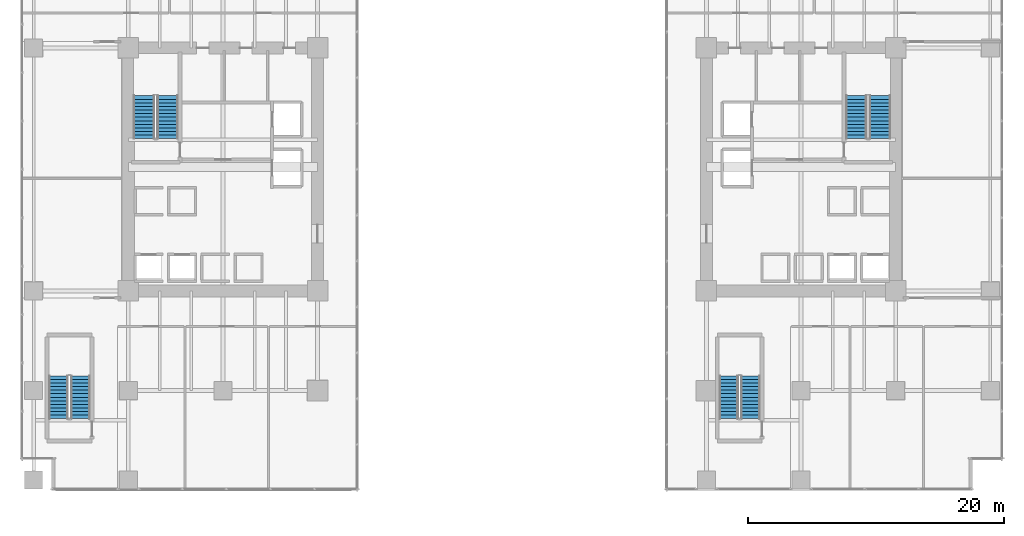
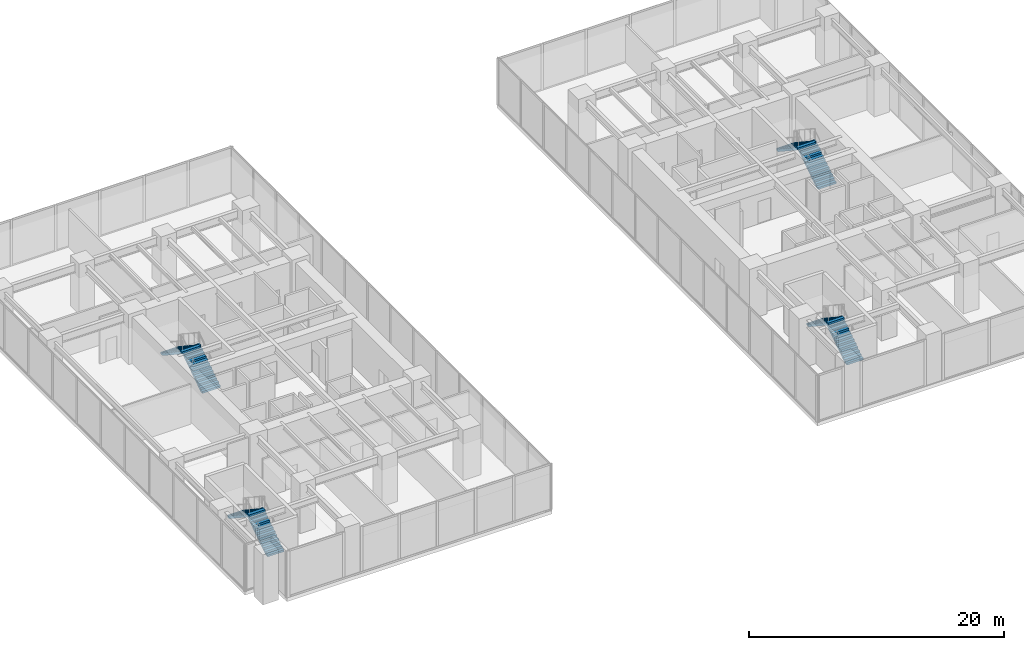
# One storey, part 28 of 33: 8 stair flights, 4 elements without a shape of their own.
"""IFC4 building model written with IfcOpenShell, lengths in metres."""

import ifcopenshell
import ifcopenshell.guid

model = None  # the IFC model being written
_history = None  # IfcOwnerHistory: only IFC2X3 demands one
_inside = {}  # id of a spatial element -> (the spatial element, [elements in it])
_under = {}  # id of a project, library or spatial element -> (it, [spatial elements below it])
_declared = {}  # id of a project -> (the project, [libraries it declares])
_typed = {}  # id of a type object -> (the type object, [elements of that type])
_made_of = {}  # id of a material, layer set ... -> (it, [elements and type objects made of it])


def new_model(schema):
    """Start an empty IFC model of exactly this schema.

    Asked for "IFC4X3", IfcOpenShell would pick the latest addendum, in which some entities
    have other attributes; the version numbers below select the first issue.
    IFC2X3 requires an IfcOwnerHistory on every rooted entity: one is made here for all.
    """
    global model, _history
    if schema == "IFC4X3":
        model = ifcopenshell.file(schema_version=(4, 3, 0, 0))
    else:
        model = ifcopenshell.file(schema=schema)
    _inside.clear()
    _under.clear()
    _declared.clear()
    _typed.clear()
    _made_of.clear()
    _history = None
    if model.schema == "IFC2X3":
        org = make("IfcOrganization", Name="unknown")
        user = make(
            "IfcPersonAndOrganization",
            ThePerson=make("IfcPerson", FamilyName="unknown"),
            TheOrganization=org,
        )
        app = make(
            "IfcApplication",
            ApplicationDeveloper=org,
            Version="unknown",
            ApplicationFullName="unknown",
            ApplicationIdentifier="unknown",
        )
        _history = make(
            "IfcOwnerHistory",
            OwningUser=user,
            OwningApplication=app,
            ChangeAction="ADDED",
            CreationDate=0,
        )
    return model


def make(cls, **values):
    """One entity of the class cls with the attributes given. An attribute that is None is left unset."""
    return model.create_entity(
        cls, **{name: value for name, value in values.items() if value is not None}
    )


def rooted(cls, **values):
    """An entity with a GlobalId (a new one), such as an element, a storey or a relation."""
    return make(cls, GlobalId=ifcopenshell.guid.new(), OwnerHistory=_history, **values)


def si_unit(unit_type, name, prefix=None):
    """IfcSIUnit, for example si_unit("LENGTHUNIT", "METRE", prefix="MILLI")."""
    return make("IfcSIUnit", UnitType=unit_type, Prefix=prefix, Name=name)


def assignment(units):
    """IfcUnitAssignment: the units of a project."""
    return None if units is None else make("IfcUnitAssignment", Units=units)


def point(xyz):
    """IfcCartesianPoint."""
    return None if xyz is None else make("IfcCartesianPoint", Coordinates=xyz)


def direction(xyz):
    """IfcDirection."""
    return None if xyz is None else make("IfcDirection", DirectionRatios=xyz)


def frame(location, z_axis=None, x_axis=None):
    """IfcAxis2Placement3D, a coordinate frame: its origin and axes. An axis left out is left unset."""
    return make(
        "IfcAxis2Placement3D",
        Location=point(location),
        Axis=direction(z_axis),
        RefDirection=direction(x_axis),
    )


def origin():
    """The frame at (0, 0, 0) with its axes left unset."""
    return frame((0.0, 0.0, 0.0))


def place(relative_to, where):
    """IfcLocalPlacement: puts the frame where relative to a parent placement (None: the world)."""
    return make(
        "IfcLocalPlacement", PlacementRelTo=relative_to, RelativePlacement=where
    )


def context(
    kind, dimensions, precision=None, world=None, true_north=None, identifier=None
):
    """IfcGeometricRepresentationContext, for example the 3D "Model" context."""
    return make(
        "IfcGeometricRepresentationContext",
        ContextIdentifier=identifier,
        ContextType=kind,
        CoordinateSpaceDimension=dimensions,
        Precision=precision,
        WorldCoordinateSystem=world,
        TrueNorth=true_north,
    )


def subcontext(parent, identifier, kind, view, scale=None):
    """IfcGeometricRepresentationSubContext, for example "Body" below "Model"."""
    return make(
        "IfcGeometricRepresentationSubContext",
        ContextIdentifier=identifier,
        ContextType=kind,
        ParentContext=parent,
        TargetScale=scale,
        TargetView=view,
    )


def project(units=None, contexts=None):
    """IfcProject with its units and contexts."""
    return rooted(
        "IfcProject",
        Name="project",
        RepresentationContexts=contexts,
        UnitsInContext=assignment(units),
    )


def spatial(cls, under=None, at=None, **own):
    """A site, building, storey or space (cls), placed at a placement, below another one or the project."""
    s = rooted(cls, ObjectPlacement=at, **own)
    if under is not None:
        _under.setdefault(under.id(), (under, []))[1].append(s)
    return s


def polyline(points):
    """IfcPolyline through the points."""
    return make("IfcPolyline", Points=[point(p) for p in points])


def outline(outer, holes=None, kind="AREA"):
    """IfcArbitraryClosedProfileDef: a profile drawn as a closed curve; with holes, ...WithVoids."""
    if holes is None:
        return make("IfcArbitraryClosedProfileDef", ProfileType=kind, OuterCurve=outer)
    return make(
        "IfcArbitraryProfileDefWithVoids",
        ProfileType=kind,
        OuterCurve=outer,
        InnerCurves=holes,
    )


def extrude(swept, where, along, depth):
    """IfcExtrudedAreaSolid: the profile swept, set in the frame where, extruded along a direction by depth."""
    return make(
        "IfcExtrudedAreaSolid",
        SweptArea=swept,
        Position=where,
        ExtrudedDirection=direction(along),
        Depth=depth,
    )


def shape(context_of_items, identifier, shape_type, items):
    """IfcShapeRepresentation: the items that make up one representation, for example the "Body"."""
    return make(
        "IfcShapeRepresentation",
        ContextOfItems=context_of_items,
        RepresentationIdentifier=identifier,
        RepresentationType=shape_type,
        Items=items,
    )


def source(mapping_origin, context_of_items, identifier, shape_type, items):
    """IfcRepresentationMap: a shape defined once, which mapped items show again and again."""
    return make(
        "IfcRepresentationMap",
        MappingOrigin=mapping_origin,
        MappedRepresentation=shape(context_of_items, identifier, shape_type, items),
    )


def transform(
    local_origin,
    x_axis=None,
    y_axis=None,
    z_axis=None,
    scale=None,
    scale2=None,
    scale3=None,
    uniform=True,
):
    """IfcCartesianTransformationOperator3D, or its non-uniform kind. x_axis, y_axis, z_axis: its Axis1, 2, 3."""
    if uniform:
        return make(
            "IfcCartesianTransformationOperator3D",
            Axis1=direction(x_axis),
            Axis2=direction(y_axis),
            LocalOrigin=point(local_origin),
            Scale=scale,
            Axis3=direction(z_axis),
        )
    return make(
        "IfcCartesianTransformationOperator3DnonUniform",
        Axis1=direction(x_axis),
        Axis2=direction(y_axis),
        LocalOrigin=point(local_origin),
        Scale=scale,
        Axis3=direction(z_axis),
        Scale2=scale2,
        Scale3=scale3,
    )


def mapped(mapping_source, mapping_target):
    """IfcMappedItem: shows the shape of a source again, moved by a transform."""
    return make(
        "IfcMappedItem", MappingSource=mapping_source, MappingTarget=mapping_target
    )


def material(Name=None, Category=None):
    """IfcMaterial."""
    return make("IfcMaterial", Name=Name, Category=Category)


def made_of(thing, what):
    """Note that an element or type object is made of a material, layer set ...; save() writes the relation."""
    if what is not None:
        _made_of.setdefault(what.id(), (what, []))[1].append(thing)
    return thing


def type_object(cls, material=None, **own):
    """A type object (cls), such as IfcWallType, which elements share."""
    return made_of(rooted(cls, **own), material)


def type_shapes(of_type, sources):
    """Give a type object the sources (RepresentationMaps) that its elements show as mapped items."""
    of_type.RepresentationMaps = sources


def element(
    cls,
    number,
    at=None,
    inside=None,
    cuts=None,
    type_object=None,
    material=None,
    context=None,
    identifier="Body",
    shape_type=None,
    held_by="IfcProductDefinitionShape",
    body=None,
    shapes=None,
    **own,
):
    """One element of the class cls, such as IfcWall. Its Tag is "e" and its number.

    at: its placement. inside: the storey or other place that contains it. cuts: it is an
    opening in that element (IfcRelVoidsElement). A single representation is given by context,
    identifier, shape_type and body (its items); several are given by shapes. held_by: the class
    of the entity that holds the representations. save() writes the other relations.
    """
    e = rooted(cls, Tag="e%d" % number, ObjectPlacement=at, **own)
    if body is not None:
        shapes = [shape(context, identifier, shape_type, body)]
    if shapes is not None:
        e.Representation = make(held_by, Representations=shapes)
    if inside is not None:
        _inside.setdefault(inside.id(), (inside, []))[1].append(e)
    if cuts is not None:
        rooted(
            "IfcRelVoidsElement", RelatingBuildingElement=cuts, RelatedOpeningElement=e
        )
    if type_object is not None:
        _typed.setdefault(type_object.id(), (type_object, []))[1].append(e)
    return made_of(e, material)


def aggregate(whole, parts):
    """IfcRelAggregates: a whole, such as a stair, and the parts it consists of."""
    return rooted("IfcRelAggregates", RelatingObject=whole, RelatedObjects=parts)


def save(model, path):
    """Write the relations noted so far, then the file.

    IfcRelAggregates (storeys below a building ...), IfcRelContainedInSpatialStructure (elements
    in a storey), IfcRelDefinesByType, IfcRelAssociatesMaterial and IfcRelDeclares: one each for
    every whole, place, type object, material and project.
    """
    for whole, parts in _under.values():
        aggregate(whole, parts)
    for where, things in _inside.values():
        rooted(
            "IfcRelContainedInSpatialStructure",
            RelatedElements=things,
            RelatingStructure=where,
        )
    for kind, things in _typed.values():
        rooted("IfcRelDefinesByType", RelatedObjects=things, RelatingType=kind)
    for what, things in _made_of.values():
        rooted("IfcRelAssociatesMaterial", RelatedObjects=things, RelatingMaterial=what)
    for by, libraries in _declared.values():
        rooted("IfcRelDeclares", RelatingContext=by, RelatedDefinitions=libraries)
    model.write(path)


model = new_model("IFC4")

# Units and contexts
model_context = context("Model", 3, precision=1e-05, world=origin(), true_north=direction((0.0, 1.0)))
body_context = subcontext(model_context, "Body", "Model", "MODEL_VIEW")
ifc_project = project(units=[si_unit("LENGTHUNIT", "METRE"), si_unit("AREAUNIT", "SQUARE_METRE"), si_unit("VOLUMEUNIT", "CUBIC_METRE"), si_unit("PLANEANGLEUNIT", "RADIAN"), si_unit("MASSUNIT", "GRAM", prefix="KILO")], contexts=[model_context])

# Site, building, storey
site_placement = place(None, origin())
site = spatial("IfcSite", under=ifc_project, at=site_placement, CompositionType="ELEMENT")
building_placement = place(site_placement, origin())
building = spatial("IfcBuilding", under=site, at=building_placement, Name="Haelvirn Gate Laboratories", CompositionType="ELEMENT")
storey_placement = place(building_placement, frame((0.0, 0.0, 10.199951171875)))
storey = spatial("IfcBuildingStorey", under=building, at=storey_placement, Name="L03", CompositionType="ELEMENT", Elevation=10.199951171875)

# Stair, stair flights
ifc_material = material(Name="Concrete C40/50", Category="concrete")
stair_type_1 = type_object("IfcStairType", Name="ST-DOG-1650-R26", PredefinedType="HALF_TURN_STAIR", material=ifc_material)
stair_1_placement = place(storey_placement, origin())
stair_1 = element("IfcStair", 1, at=stair_1_placement, inside=storey, type_object=stair_type_1, Name="L03 Escape Stair ST1", PredefinedType="HALF_TURN_STAIR")
stair_flight_type_1 = type_object("IfcStairFlightType", Name="STF-1650-R13", PredefinedType="STRAIGHT", material=ifc_material)
shared_shape_1 = source(origin(), body_context, "Body", "SweptSolid", [
    extrude(outline(polyline([(0.0, 0.0), (0.0, 0.1845703125), (0.280029296875, 0.1845703125), (0.280029296875, 0.369140625), (0.56005859375, 0.369140625), (0.56005859375, 0.553955078125), (0.840087890625, 0.553955078125), (0.840087890625, 0.738525390625), (1.1201171875, 0.738525390625), (1.1201171875, 0.923095703125), (1.39990234375, 0.923095703125), (1.39990234375, 1.107666015625), (1.679931640625, 1.107666015625), (1.679931640625, 1.292236328125), (1.9599609375, 1.292236328125), (1.9599609375, 1.476806640625), (2.239990234375, 1.476806640625), (2.239990234375, 1.66162109375), (2.52001953125, 1.66162109375), (2.52001953125, 1.84619140625), (2.800048828125, 1.84619140625), (2.800048828125, 2.03076171875), (3.080078125, 2.03076171875), (3.080078125, 2.21533203125), (3.360107421875, 2.21533203125), (3.360107421875, 2.39990234375), (3.360107421875, 2.02392578125), (0.29052734375, 0.0), (0.0, 0.0)])), frame((0.0, 0.824951171875, 0.0), z_axis=(0.0, -1.0, 0.0), x_axis=(1.0, 0.0, 0.0)), (0.0, 0.0, 1.0), 1.64990234375),
])
type_shapes(stair_flight_type_1, [shared_shape_1])
stair_flight_1_placement = place(storey_placement, frame((10.47509765625, 26.699951171875, 0.0), z_axis=(0.0, 0.0, 1.0), x_axis=(0.0, 1.0, 0.0)))
stair_flight_1 = element("IfcStairFlight", 2, at=stair_flight_1_placement, type_object=stair_flight_type_1, Name="ST1 flight 1", NumberOfRisers=13, NumberOfTreads=12, PredefinedType="STRAIGHT", RiserHeight=0.184615385, TreadLength=0.28, context=body_context, shape_type="MappedRepresentation", body=[
    mapped(shared_shape_1, transform((0.0, 0.0, 0.0), scale=1.0)),
])
stair_flight_2_placement = place(storey_placement, frame((8.625, 30.06005859375, 2.400146484375), z_axis=(0.0, 0.0, 1.0), x_axis=(0.0, -1.0, 0.0)))
stair_flight_2 = element("IfcStairFlight", 3, at=stair_flight_2_placement, type_object=stair_flight_type_1, Name="ST1 flight 2", NumberOfRisers=13, NumberOfTreads=12, PredefinedType="STRAIGHT", RiserHeight=0.184615385, TreadLength=0.28, context=body_context, shape_type="MappedRepresentation", body=[
    mapped(shared_shape_1, transform((0.0, 0.0, 0.0), scale=1.0)),
])
aggregate(stair_1, [stair_flight_1, stair_flight_2])

stair_2_placement = place(storey_placement, origin())
stair_2 = element("IfcStair", 4, at=stair_2_placement, inside=storey, type_object=stair_type_1, Name="L03 Escape Stair ST2", PredefinedType="HALF_TURN_STAIR")
stair_flight_3_placement = place(storey_placement, frame((66.175048828125, 26.699951171875, 0.0), z_axis=(0.0, 0.0, 1.0), x_axis=(0.0, 1.0, 0.0)))
stair_flight_3 = element("IfcStairFlight", 5, at=stair_flight_3_placement, type_object=stair_flight_type_1, Name="ST2 flight 1", NumberOfRisers=13, NumberOfTreads=12, PredefinedType="STRAIGHT", RiserHeight=0.184615385, TreadLength=0.28, context=body_context, shape_type="MappedRepresentation", body=[
    mapped(shared_shape_1, transform((0.0, 0.0, 0.0), scale=1.0)),
])
stair_flight_4_placement = place(storey_placement, frame((64.324951171875, 30.06005859375, 2.400146484375), z_axis=(0.0, 0.0, 1.0), x_axis=(0.0, -1.0, 0.0)))
stair_flight_4 = element("IfcStairFlight", 6, at=stair_flight_4_placement, type_object=stair_flight_type_1, Name="ST2 flight 2", NumberOfRisers=13, NumberOfTreads=12, PredefinedType="STRAIGHT", RiserHeight=0.184615385, TreadLength=0.28, context=body_context, shape_type="MappedRepresentation", body=[
    mapped(shared_shape_1, transform((0.0, 0.0, 0.0), scale=1.0)),
])
aggregate(stair_2, [stair_flight_3, stair_flight_4])

stair_type_2 = type_object("IfcStairType", Name="ST-DOG-1500-R26", PredefinedType="HALF_TURN_STAIR", material=ifc_material)
stair_3_placement = place(storey_placement, origin())
stair_3 = element("IfcStair", 7, at=stair_3_placement, inside=storey, type_object=stair_type_2, Name="L03 Escape Stair ST3", PredefinedType="HALF_TURN_STAIR")
stair_flight_type_2 = type_object("IfcStairFlightType", Name="STF-1500-R13", PredefinedType="STRAIGHT", material=ifc_material)
shared_shape_2 = source(origin(), body_context, "Body", "SweptSolid", [
    extrude(outline(polyline([(0.0, 0.0), (0.0, 0.1845703125), (0.280029296875, 0.1845703125), (0.280029296875, 0.369140625), (0.56005859375, 0.369140625), (0.56005859375, 0.553955078125), (0.840087890625, 0.553955078125), (0.840087890625, 0.738525390625), (1.1201171875, 0.738525390625), (1.1201171875, 0.923095703125), (1.39990234375, 0.923095703125), (1.39990234375, 1.107666015625), (1.679931640625, 1.107666015625), (1.679931640625, 1.292236328125), (1.9599609375, 1.292236328125), (1.9599609375, 1.476806640625), (2.239990234375, 1.476806640625), (2.239990234375, 1.66162109375), (2.52001953125, 1.66162109375), (2.52001953125, 1.84619140625), (2.800048828125, 1.84619140625), (2.800048828125, 2.03076171875), (3.080078125, 2.03076171875), (3.080078125, 2.21533203125), (3.360107421875, 2.21533203125), (3.360107421875, 2.39990234375), (3.360107421875, 2.02392578125), (0.29052734375, 0.0), (0.0, 0.0)])), frame((0.0, 0.75, 0.0), z_axis=(0.0, -1.0, 0.0), x_axis=(1.0, 0.0, 0.0)), (0.0, 0.0, 1.0), 1.5),
])
type_shapes(stair_flight_type_2, [shared_shape_2])
stair_flight_5_placement = place(storey_placement, frame((3.64990234375, 4.800048828125, 0.0), z_axis=(0.0, 0.0, 1.0), x_axis=(0.0, 1.0, 0.0)))
stair_flight_5 = element("IfcStairFlight", 8, at=stair_flight_5_placement, type_object=stair_flight_type_2, Name="ST3 flight 1", NumberOfRisers=13, NumberOfTreads=12, PredefinedType="STRAIGHT", RiserHeight=0.184615385, TreadLength=0.28, context=body_context, shape_type="MappedRepresentation", body=[
    mapped(shared_shape_2, transform((0.0, 0.0, 0.0), scale=1.0)),
])
stair_flight_6_placement = place(storey_placement, frame((1.949951171875, 8.159912109375, 2.400146484375), z_axis=(0.0, 0.0, 1.0), x_axis=(0.0, -1.0, 0.0)))
stair_flight_6 = element("IfcStairFlight", 9, at=stair_flight_6_placement, type_object=stair_flight_type_2, Name="ST3 flight 2", NumberOfRisers=13, NumberOfTreads=12, PredefinedType="STRAIGHT", RiserHeight=0.184615385, TreadLength=0.28, context=body_context, shape_type="MappedRepresentation", body=[
    mapped(shared_shape_2, transform((0.0, 0.0, 0.0), scale=1.0)),
])
aggregate(stair_3, [stair_flight_5, stair_flight_6])

stair_4_placement = place(storey_placement, origin())
stair_4 = element("IfcStair", 10, at=stair_4_placement, inside=storey, type_object=stair_type_2, Name="L03 Escape Stair ST4", PredefinedType="HALF_TURN_STAIR")
stair_flight_7_placement = place(storey_placement, frame((56.050048828125, 4.800048828125, 0.0), z_axis=(0.0, 0.0, 1.0), x_axis=(0.0, 1.0, 0.0)))
stair_flight_7 = element("IfcStairFlight", 11, at=stair_flight_7_placement, type_object=stair_flight_type_2, Name="ST4 flight 1", NumberOfRisers=13, NumberOfTreads=12, PredefinedType="STRAIGHT", RiserHeight=0.184615385, TreadLength=0.28, context=body_context, shape_type="MappedRepresentation", body=[
    mapped(shared_shape_2, transform((0.0, 0.0, 0.0), scale=1.0)),
])
stair_flight_8_placement = place(storey_placement, frame((54.35009765625, 8.159912109375, 2.400146484375), z_axis=(0.0, 0.0, 1.0), x_axis=(0.0, -1.0, 0.0)))
stair_flight_8 = element("IfcStairFlight", 12, at=stair_flight_8_placement, type_object=stair_flight_type_2, Name="ST4 flight 2", NumberOfRisers=13, NumberOfTreads=12, PredefinedType="STRAIGHT", RiserHeight=0.184615385, TreadLength=0.28, context=body_context, shape_type="MappedRepresentation", body=[
    mapped(shared_shape_2, transform((0.0, 0.0, 0.0), scale=1.0)),
])
aggregate(stair_4, [stair_flight_7, stair_flight_8])

save(model, "model.ifc")
